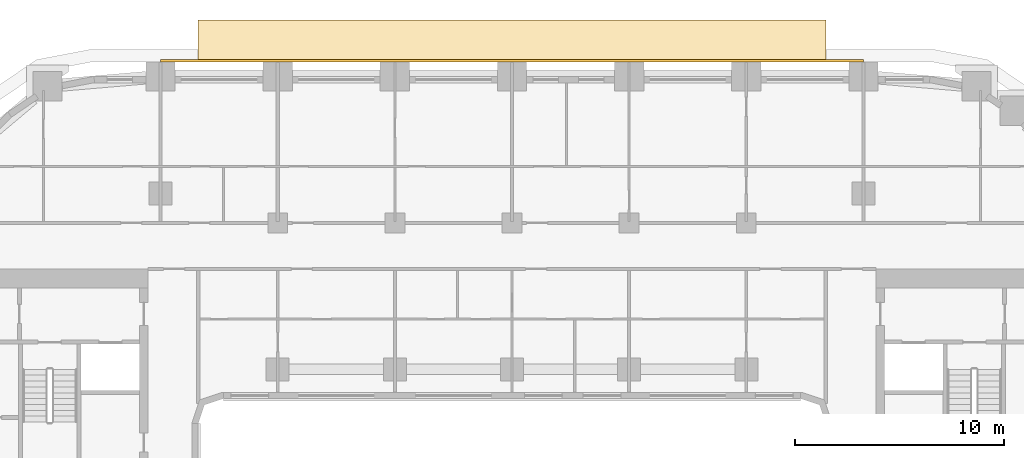
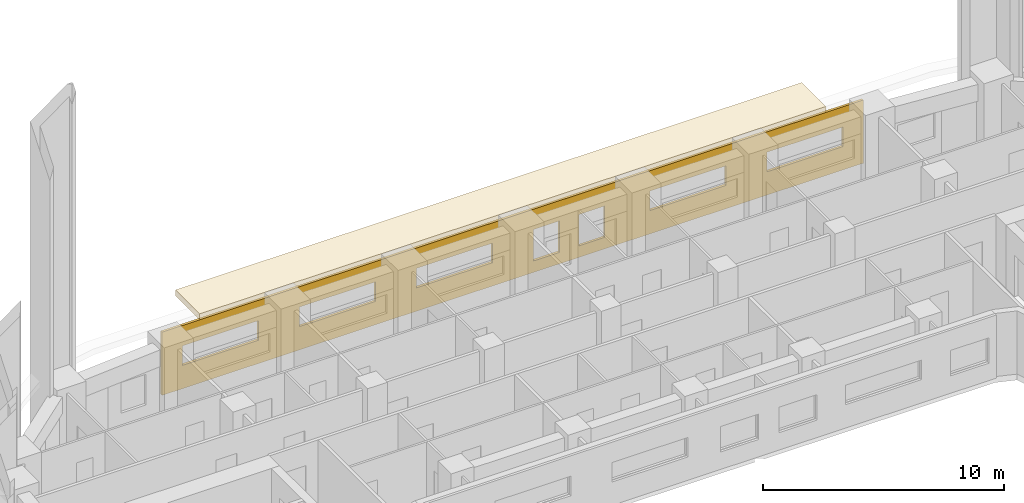
# One storey, part 21 of 22: 2 coverings.
"""IFC4 building model written with IfcOpenShell, lengths in metres."""

from ifc_helpers import new_model, si_unit, direction, frame, origin, place, context, subcontext, project, spatial, polyline, outline, extrude, material, layer, layer_set, type_object, element, save


model = new_model("IFC4")

# Units and contexts
model_context = context("Model", 3, precision=1e-05, world=origin(), true_north=direction((0.0, 1.0)))
body_context = subcontext(model_context, "Body", "Model", "MODEL_VIEW")
ifc_project = project(units=[si_unit("LENGTHUNIT", "METRE"), si_unit("AREAUNIT", "SQUARE_METRE"), si_unit("VOLUMEUNIT", "CUBIC_METRE"), si_unit("PLANEANGLEUNIT", "RADIAN"), si_unit("MASSUNIT", "GRAM", prefix="KILO")], contexts=[model_context])

# Site, building, storey
site_placement = place(None, origin())
site = spatial("IfcSite", under=ifc_project, at=site_placement, CompositionType="ELEMENT")
building_placement = place(site_placement, origin())
building = spatial("IfcBuilding", under=site, at=building_placement, Name="Kiln Ring Residences", CompositionType="ELEMENT")
storey_placement = place(building_placement, frame((0.0, 0.0, 55.0)))
storey = spatial("IfcBuildingStorey", under=building, at=storey_placement, Name="L13", CompositionType="ELEMENT", Elevation=55.0)

# Coverings
ifc_material_1 = material(Name="Brick masonry, dark clay brick", Category="masonry")
ifc_layer_1 = layer(ifc_material_1, 0.1201171875)
ifc_layer_set_1 = layer_set([ifc_layer_1], Name="RAINSCREEN PANEL 120")
covering_type_1 = type_object("IfcCoveringType", Name="RAINSCREEN PANEL 120", PredefinedType="CLADDING", material=ifc_layer_set_1)
covering_1_placement = place(storey_placement, frame((16.800048828125, 23.159912109375, 0.0), z_axis=(0.0, 0.0, 1.0), x_axis=(-1.0, 0.0, 0.0)))
element("IfcCovering", 1, at=covering_1_placement, inside=storey, type_object=covering_type_1, Name="RAINSCREEN L13", PredefinedType="CLADDING", context=body_context, shape_type="SweptSolid", body=[
    extrude(outline(polyline([(0.0, 0.0), (33.60009765625, 0.0), (33.60009765625, 3.199951171875), (0.0, 3.199951171875), (0.0, 0.0)]), holes=[polyline([(13.632568359375, 0.580078125), (13.632568359375, 2.169921875), (12.392578125, 2.169921875), (12.392578125, 0.580078125), (13.632568359375, 0.580078125)]), polyline([(14.5673828125, 0.580078125), (15.8076171875, 0.580078125), (15.8076171875, 2.169921875), (14.5673828125, 2.169921875), (14.5673828125, 0.580078125)]), polyline([(0.97998046875, 1.179931640625), (4.6201171875, 1.179931640625), (4.6201171875, 2.169921875), (0.97998046875, 2.169921875), (0.97998046875, 1.179931640625)]), polyline([(6.580078125, 1.179931640625), (10.219970703125, 1.179931640625), (10.219970703125, 2.169921875), (6.580078125, 2.169921875), (6.580078125, 1.179931640625)]), polyline([(17.780029296875, 1.179931640625), (21.419921875, 1.179931640625), (21.419921875, 2.169921875), (17.780029296875, 2.169921875), (17.780029296875, 1.179931640625)]), polyline([(23.3798828125, 1.179931640625), (27.02001953125, 1.179931640625), (27.02001953125, 2.169921875), (23.3798828125, 2.169921875), (23.3798828125, 1.179931640625)]), polyline([(28.97998046875, 1.179931640625), (32.6201171875, 1.179931640625), (32.6201171875, 2.169921875), (28.97998046875, 2.169921875), (28.97998046875, 1.179931640625)])]), frame((0.0, 0.06005859375, 0.0), z_axis=(0.0, -1.0, 0.0), x_axis=(1.0, 0.0, 0.0)), (0.0, 0.0, 1.0), 0.1201171875),
])
ifc_material_2 = material(Name="Black powder-coated steel", Category="steel")
ifc_layer_2 = layer(ifc_material_2, 0.300048828125)
ifc_layer_set_2 = layer_set([ifc_layer_2], Name="SUNSHADE BAND 2000")
covering_type_2 = type_object("IfcCoveringType", Name="SUNSHADE BAND 2000", PredefinedType="CLADDING", material=ifc_layer_set_2)
covering_2_placement = place(storey_placement, frame((0.0, 0.0, 3.199951171875)))
element("IfcCovering", 2, at=covering_2_placement, inside=storey, type_object=covering_type_2, Name="SUNSHADE BAND L13", PredefinedType="CLADDING", context=body_context, shape_type="SweptSolid", body=[
    extrude(outline(polyline([(15.0, 25.10009765625), (-15.0, 25.10009765625), (-15.0, 23.10009765625), (15.0, 23.10009765625), (15.0, 25.10009765625)])), origin(), (0.0, 0.0, 1.0), 0.300048828125),
])

save(model, "model.ifc")
